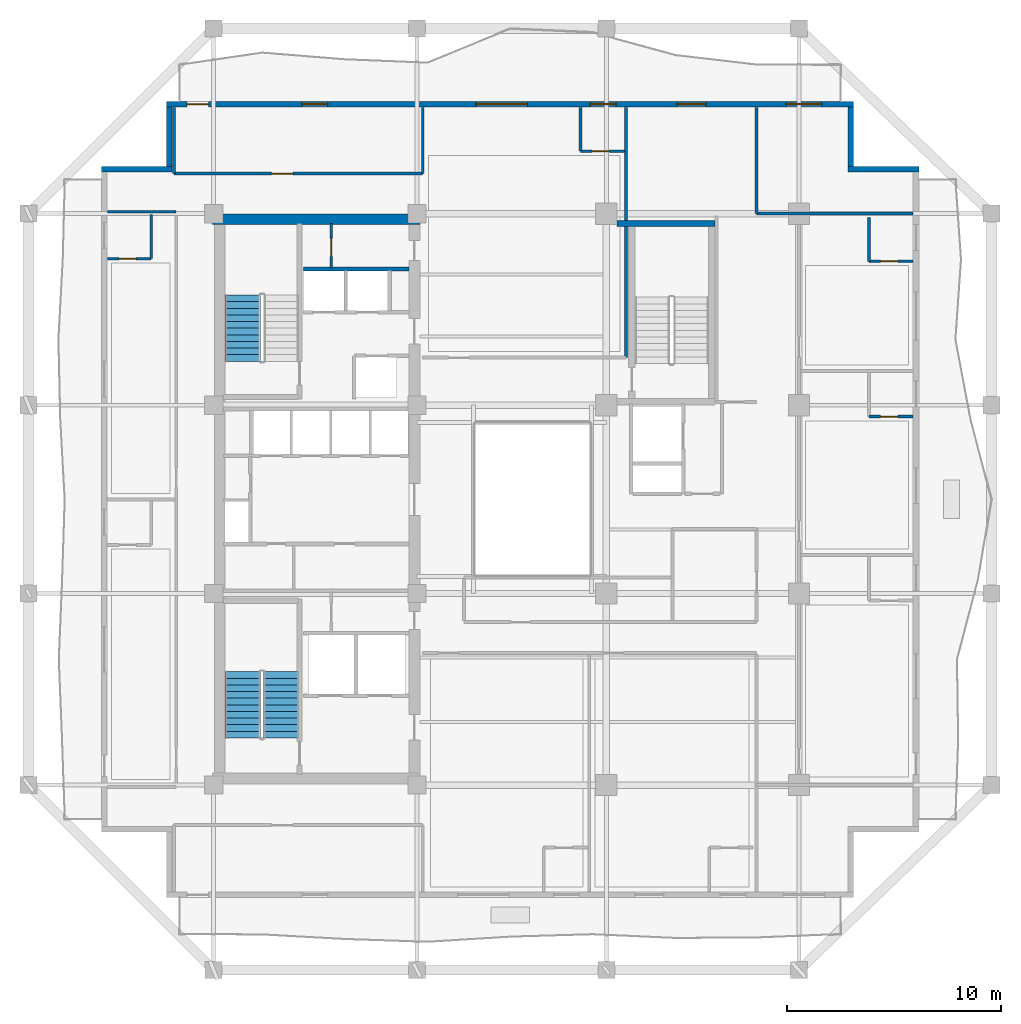
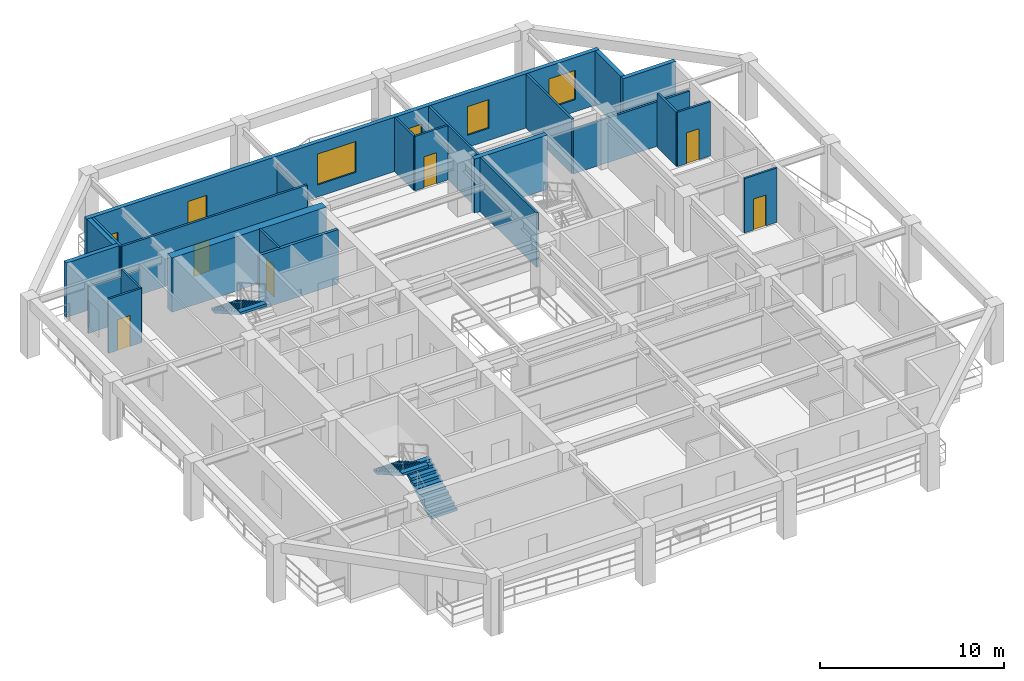
# One storey, part 6 of 11: 23 walls, 7 doors, 5 windows, 3 stair flights, 12 openings, 2 elements without a shape of their own.
"""IFC4 building model written with IfcOpenShell, lengths in metres."""

from ifc_helpers import new_model, si_unit, direction, frame, frame_2d, origin, place, context, subcontext, project, spatial, polyline, rectangle, outline, extrude, material, layer, layer_set, type_object, element, fill, aggregate, save


model = new_model("IFC4")

# Units and contexts
model_context = context("Model", 3, precision=1e-05, world=origin(), true_north=direction((0.0, 1.0)))
body_context = subcontext(model_context, "Body", "Model", "MODEL_VIEW")
ifc_project = project(units=[si_unit("LENGTHUNIT", "METRE"), si_unit("AREAUNIT", "SQUARE_METRE"), si_unit("VOLUMEUNIT", "CUBIC_METRE"), si_unit("PLANEANGLEUNIT", "RADIAN"), si_unit("MASSUNIT", "GRAM", prefix="KILO")], contexts=[model_context])

# Site, building, storey
site_placement = place(None, origin())
site = spatial("IfcSite", under=ifc_project, at=site_placement, CompositionType="ELEMENT")
building_placement = place(site_placement, origin())
building = spatial("IfcBuilding", under=site, at=building_placement, Name="Kundavana Baori Tower", CompositionType="ELEMENT")
storey_placement = place(building_placement, frame((0.0, 0.0, 123.25)))
storey = spatial("IfcBuildingStorey", under=building, at=storey_placement, Name="L29", CompositionType="ELEMENT", Elevation=123.25)

# Walls
ifc_material_1 = material(Name="Concrete C50/60", Category="concrete")
ifc_layer_1 = layer(ifc_material_1, 0.5, Name="WL-CORE-500")
ifc_layer_set_1 = layer_set([ifc_layer_1], Name="Concrete C50/60")
wall_type_1 = type_object("IfcWallType", Name="WL-CORE-500", PredefinedType="SHEAR", material=ifc_layer_set_1)
wall_1_placement = place(storey_placement, frame((15.39990234375, 41.68994140625, 0.0), z_axis=(0.0, 0.0, 1.0), x_axis=(1.0, 0.0, 0.0)))
element("IfcWall", 1, at=wall_1_placement, inside=storey, type_object=wall_type_1, Name="L29 Offset Core North Shear Wall", PredefinedType="SHEAR", context=body_context, shape_type="SweptSolid", body=[
    extrude(rectangle(XDim=9.68017578125, YDim=0.5, at=frame_2d((4.840087890625, 0.0))), origin(), (0.0, 0.0, 1.0), 3.60009765625),
])
ifc_material_2 = material(Name="Kiln-Fired Terracotta Brick-Slip Masonry on Concrete C40/50", Category="masonry")
ifc_layer_2 = layer(ifc_material_2, 0.260009765625, Name="WL-EXT-BRK-260")
ifc_layer_set_2 = layer_set([ifc_layer_2], Name="Kiln-Fired Terracotta Brick-Slip Masonry on Concrete C40/50")
wall_type_2 = type_object("IfcWallType", Name="WL-EXT-BRK-260", PredefinedType="SOLIDWALL", material=ifc_layer_set_2)
wall_2_placement = place(storey_placement, frame((48.39990234375, 44.02001953125, 0.0), z_axis=(0.0, 0.0, 1.0), x_axis=(-1.0, 0.0, 0.0)))
element("IfcWall", 2, at=wall_2_placement, inside=storey, type_object=wall_type_2, Name="L29 Exterior Insulated Facade Wall 05", PredefinedType="SOLIDWALL", context=body_context, shape_type="SweptSolid", body=[
    extrude(rectangle(XDim=3.309814453125, YDim=0.260009765625, at=frame_2d((1.65478515625, 0.0))), origin(), (0.0, 0.0, 1.0), 3.60009765625),
])
wall_3_placement = place(storey_placement, frame((45.219970703125, 44.14990234375, 0.0), z_axis=(0.0, 0.0, 1.0), x_axis=(0.0, 1.0, 0.0)))
element("IfcWall", 3, at=wall_3_placement, inside=storey, type_object=wall_type_2, Name="L29 Exterior Insulated Facade Wall 06", PredefinedType="SOLIDWALL", context=body_context, shape_type="SweptSolid", body=[
    extrude(rectangle(XDim=2.7900390625, YDim=0.260009765625, at=frame_2d((1.39501953125, 0.0))), origin(), (0.0, 0.0, 1.0), 3.60009765625),
])

# Wall, openings, door, windows
wall_4_placement = place(storey_placement, frame((45.35009765625, 47.070068359375, 0.0), z_axis=(0.0, 0.0, 1.0), x_axis=(-1.0, 0.0, 0.0)))
wall_4 = element("IfcWall", 4, at=wall_4_placement, inside=storey, type_object=wall_type_2, Name="L29 Exterior Insulated Facade Wall 07", PredefinedType="SOLIDWALL", context=body_context, shape_type="SweptSolid", body=[
    extrude(rectangle(XDim=32.10009765625, YDim=0.260009765625, at=frame_2d((16.050048828125, 0.0))), origin(), (0.0, 0.0, 1.0), 3.60009765625),
])
opening_1_placement = place(wall_4_placement, frame((30.14990234375, 0.0, 0.0)))
opening_1 = element("IfcOpeningElement", 5, at=opening_1_placement, cuts=wall_4, Name="Opening BD-1", PredefinedType="OPENING", context=body_context, shape_type="SweptSolid", body=[
    extrude(rectangle(XDim=1.0, YDim=2.050048828125, at=frame_2d((0.5, 1.02490234375))), frame((0.0, 0.14013671875, 0.0), z_axis=(0.0, -1.0, 0.0), x_axis=(1.0, 0.0, 0.0)), (0.0, 0.0, 1.0), 0.280029296875),
])
opening_2_placement = place(wall_4_placement, frame((24.570068359375, 0.0, 0.800048828125)))
opening_2 = element("IfcOpeningElement", 6, at=opening_2_placement, cuts=wall_4, Name="Opening W-03", PredefinedType="OPENING", context=body_context, shape_type="SweptSolid", body=[
    extrude(rectangle(XDim=1.199951171875, YDim=1.75, at=frame_2d((0.60009765625, 0.875))), frame((0.0, 0.14013671875, 0.0), z_axis=(0.0, -1.0, 0.0), x_axis=(1.0, 0.0, 0.0)), (0.0, 0.0, 1.0), 0.280029296875),
])
opening_3_placement = place(wall_4_placement, frame((15.2451171875, 0.0, 0.800048828125)))
opening_3 = element("IfcOpeningElement", 7, at=opening_3_placement, cuts=wall_4, Name="Opening W-04", PredefinedType="OPENING", context=body_context, shape_type="SweptSolid", body=[
    extrude(rectangle(XDim=2.39990234375, YDim=2.050048828125, at=frame_2d((1.199951171875, 1.02490234375))), frame((0.0, 0.14013671875, 0.0), z_axis=(0.0, -1.0, 0.0), x_axis=(1.0, 0.0, 0.0)), (0.0, 0.0, 1.0), 0.280029296875),
])
opening_4_placement = place(wall_4_placement, frame((11.094970703125, 0.0, 0.800048828125)))
opening_4 = element("IfcOpeningElement", 8, at=opening_4_placement, cuts=wall_4, Name="Opening W-03", PredefinedType="OPENING", context=body_context, shape_type="SweptSolid", body=[
    extrude(rectangle(XDim=1.199951171875, YDim=1.75, at=frame_2d((0.60009765625, 0.875))), frame((0.0, 0.14013671875, 0.0), z_axis=(0.0, -1.0, 0.0), x_axis=(1.0, 0.0, 0.0)), (0.0, 0.0, 1.0), 0.280029296875),
])
opening_5_placement = place(wall_4_placement, frame((6.905029296875, 0.0, 0.800048828125)))
opening_5 = element("IfcOpeningElement", 9, at=opening_5_placement, cuts=wall_4, Name="Opening W-07", PredefinedType="OPENING", context=body_context, shape_type="SweptSolid", body=[
    extrude(rectangle(XDim=1.35009765625, YDim=1.89990234375, at=frame_2d((0.675048828125, 0.949951171875))), frame((0.0, 0.14013671875, 0.0), z_axis=(0.0, -1.0, 0.0), x_axis=(1.0, 0.0, 0.0)), (0.0, 0.0, 1.0), 0.280029296875),
])
opening_6_placement = place(wall_4_placement, frame((1.4951171875, 0.0, 0.800048828125)))
opening_6 = element("IfcOpeningElement", 10, at=opening_6_placement, cuts=wall_4, Name="Opening W-08", PredefinedType="OPENING", context=body_context, shape_type="SweptSolid", body=[
    extrude(rectangle(XDim=1.64990234375, YDim=1.949951171875, at=frame_2d((0.824951171875, 0.97509765625))), frame((0.0, 0.14013671875, 0.0), z_axis=(0.0, -1.0, 0.0), x_axis=(1.0, 0.0, 0.0)), (0.0, 0.0, 1.0), 0.280029296875),
])
ifc_material_3 = material(Name="Architectural Patinated Bronze Metalwork")
door_type_1 = type_object("IfcDoorType", Name="DR-EXT-LOG-1000", OperationType="NOTDEFINED", PredefinedType="DOOR", material=ifc_material_3)
door_1_placement = place(opening_1_placement, frame((1.0, 0.0, 0.0), z_axis=(0.0, 0.0, 1.0), x_axis=(-1.0, 0.0, 0.0)))
door_1 = element("IfcDoor", 11, at=door_1_placement, inside=storey, type_object=door_type_1, Name="L29 Loggia Balcony Access Door N", OperationType="SINGLE_SWING_LEFT", OverallHeight=2.050048828125, OverallWidth=1.0, PredefinedType="DOOR", context=body_context, shape_type="SweptSolid", body=[
    extrude(rectangle(XDim=1.0, YDim=2.050048828125, at=frame_2d((0.5, 1.02490234375))), frame((0.0, 0.02490234375, 0.0), z_axis=(0.0, -1.0, 0.0), x_axis=(1.0, 0.0, 0.0)), (0.0, 0.0, 1.0), 0.050048828125),
])
fill(opening_1, door_1)
ifc_material_4 = material(Name="Double-Glazed Solar-Control Low-E Insulated Glass", Category="glass")
window_type_1 = type_object("IfcWindowType", Name="WIN-LOG-1200x1750", PartitioningType="SINGLE_PANEL", PredefinedType="WINDOW", material=ifc_material_4)
window_1_placement = place(opening_2_placement, origin())
window_1 = element("IfcWindow", 12, at=window_1_placement, inside=storey, type_object=window_type_1, Name="L29 Recessed Loggia Window N-1", OverallHeight=1.75, OverallWidth=1.199951171875, PartitioningType="SINGLE_PANEL", PredefinedType="WINDOW", context=body_context, shape_type="SweptSolid", body=[
    extrude(rectangle(XDim=1.199951171875, YDim=1.75, at=frame_2d((0.60009765625, 0.875))), frame((0.0, 0.030029296875, 0.0), z_axis=(0.0, -1.0, 0.0), x_axis=(1.0, 0.0, 0.0)), (0.0, 0.0, 1.0), 0.06005859375),
])
fill(opening_2, window_1)
window_2_placement = place(opening_4_placement, origin())
window_2 = element("IfcWindow", 13, at=window_2_placement, inside=storey, type_object=window_type_1, Name="L29 Recessed Loggia Window N-3", OverallHeight=1.75, OverallWidth=1.199951171875, PartitioningType="SINGLE_PANEL", PredefinedType="WINDOW", context=body_context, shape_type="SweptSolid", body=[
    extrude(rectangle(XDim=1.199951171875, YDim=1.75, at=frame_2d((0.60009765625, 0.875))), frame((0.0, 0.030029296875, 0.0), z_axis=(0.0, -1.0, 0.0), x_axis=(1.0, 0.0, 0.0)), (0.0, 0.0, 1.0), 0.06005859375),
])
fill(opening_4, window_2)
ifc_material_5 = material(Name="Double-Glazed Solar-Control Low-E Insulated Glass", Category="glass")
window_type_2 = type_object("IfcWindowType", Name="WIN-LOG-1350x1900", PartitioningType="SINGLE_PANEL", PredefinedType="WINDOW", material=ifc_material_5)
window_3_placement = place(opening_5_placement, origin())
window_3 = element("IfcWindow", 14, at=window_3_placement, inside=storey, type_object=window_type_2, Name="L29 Recessed Loggia Window N-4", OverallHeight=1.89990234375, OverallWidth=1.35009765625, PartitioningType="SINGLE_PANEL", PredefinedType="WINDOW", context=body_context, shape_type="SweptSolid", body=[
    extrude(rectangle(XDim=1.35009765625, YDim=1.89990234375, at=frame_2d((0.675048828125, 0.949951171875))), frame((0.0, 0.030029296875, 0.0), z_axis=(0.0, -1.0, 0.0), x_axis=(1.0, 0.0, 0.0)), (0.0, 0.0, 1.0), 0.06005859375),
])
fill(opening_5, window_3)
ifc_material_6 = material(Name="Double-Glazed Solar-Control Low-E Insulated Glass", Category="glass")
window_type_3 = type_object("IfcWindowType", Name="WIN-LOG-1650x1950", PartitioningType="SINGLE_PANEL", PredefinedType="WINDOW", material=ifc_material_6)
window_4_placement = place(opening_6_placement, origin())
window_4 = element("IfcWindow", 15, at=window_4_placement, inside=storey, type_object=window_type_3, Name="L29 Recessed Loggia Window N-5", OverallHeight=1.949951171875, OverallWidth=1.64990234375, PartitioningType="SINGLE_PANEL", PredefinedType="WINDOW", context=body_context, shape_type="SweptSolid", body=[
    extrude(rectangle(XDim=1.64990234375, YDim=1.949951171875, at=frame_2d((0.824951171875, 0.97509765625))), frame((0.0, 0.030029296875, 0.0), z_axis=(0.0, -1.0, 0.0), x_axis=(1.0, 0.0, 0.0)), (0.0, 0.0, 1.0), 0.06005859375),
])
fill(opening_6, window_4)
ifc_material_7 = material(Name="Double-Glazed Solar-Control Low-E Insulated Glass", Category="glass")
window_type_4 = type_object("IfcWindowType", Name="WIN-LOG-2400x2050", PartitioningType="SINGLE_PANEL", PredefinedType="WINDOW", material=ifc_material_7)
window_5_placement = place(opening_3_placement, origin())
window_5 = element("IfcWindow", 16, at=window_5_placement, inside=storey, type_object=window_type_4, Name="L29 Recessed Loggia Window N-2", OverallHeight=2.050048828125, OverallWidth=2.39990234375, PartitioningType="SINGLE_PANEL", PredefinedType="WINDOW", context=body_context, shape_type="SweptSolid", body=[
    extrude(rectangle(XDim=2.39990234375, YDim=2.050048828125, at=frame_2d((1.199951171875, 1.02490234375))), frame((0.0, 0.030029296875, 0.0), z_axis=(0.0, -1.0, 0.0), x_axis=(1.0, 0.0, 0.0)), (0.0, 0.0, 1.0), 0.06005859375),
])
fill(opening_3, window_5)

# Walls
wall_5_placement = place(storey_placement, frame((13.3798828125, 46.93994140625, 0.0), z_axis=(0.0, 0.0, 1.0), x_axis=(0.0, -1.0, 0.0)))
element("IfcWall", 17, at=wall_5_placement, inside=storey, type_object=wall_type_2, Name="L29 Exterior Insulated Facade Wall 08", PredefinedType="SOLIDWALL", context=body_context, shape_type="SweptSolid", body=[
    extrude(rectangle(XDim=2.7900390625, YDim=0.260009765625, at=frame_2d((1.39501953125, 0.0))), origin(), (0.0, 0.0, 1.0), 3.60009765625),
])
wall_6_placement = place(storey_placement, frame((13.510009765625, 44.02001953125, 0.0), z_axis=(0.0, 0.0, 1.0), x_axis=(-1.0, 0.0, 0.0)))
element("IfcWall", 18, at=wall_6_placement, inside=storey, type_object=wall_type_2, Name="L29 Exterior Insulated Facade Wall 09", PredefinedType="SOLIDWALL", context=body_context, shape_type="SweptSolid", body=[
    extrude(rectangle(XDim=3.31005859375, YDim=0.260009765625, at=frame_2d((1.655029296875, 0.0))), origin(), (0.0, 0.0, 1.0), 3.60009765625),
])

# Wall, opening, door
ifc_material_8 = material(Name="Acoustic Gypsum Plasterboard on Galvanised Steel Studs", Category="steel")
ifc_layer_3 = layer(ifc_material_8, 0.1201171875, Name="WL-PART-120")
ifc_layer_set_3 = layer_set([ifc_layer_3], Name="Acoustic Gypsum Plasterboard on Galvanised Steel Studs")
wall_type_3 = type_object("IfcWallType", Name="WL-PART-120", PredefinedType="PARTITIONING", material=ifc_layer_set_3)
wall_7_placement = place(storey_placement, frame((20.949951171875, 39.39990234375, 0.0), z_axis=(0.0, 0.0, 1.0), x_axis=(0.0, 1.0, 0.0)))
wall_7 = element("IfcWall", 19, at=wall_7_placement, inside=storey, type_object=wall_type_3, Name="WL-L29-CSRV-D2", PredefinedType="PARTITIONING", context=body_context, shape_type="SweptSolid", body=[
    extrude(rectangle(XDim=2.080078125, YDim=0.1201171875, at=frame_2d((1.0400390625, 0.0))), origin(), (0.0, 0.0, 1.0), 3.60009765625),
])
opening_7_placement = place(wall_7_placement, frame((0.550048828125, 0.0, 0.0)))
opening_7 = element("IfcOpeningElement", 20, at=opening_7_placement, cuts=wall_7, Name="Opening FD-085", PredefinedType="OPENING", context=body_context, shape_type="SweptSolid", body=[
    extrude(rectangle(XDim=0.85009765625, YDim=2.06005859375, at=frame_2d((0.425048828125, 1.030029296875))), frame((0.0, 0.070068359375, 0.0), z_axis=(0.0, -1.0, 0.0), x_axis=(1.0, 0.0, 0.0)), (0.0, 0.0, 1.0), 0.14013671875),
])
ifc_material_9 = material(Name="Galvanised Steel Fire-Rated Door Leaf", Category="steel")
door_type_2 = type_object("IfcDoorType", Name="DR-FD60-850", OperationType="NOTDEFINED", PredefinedType="DOOR", material=ifc_material_9)
door_2_placement = place(opening_7_placement, origin())
door_2 = element("IfcDoor", 21, at=door_2_placement, inside=storey, type_object=door_type_2, Name="DR-L29-CSRV1", OperationType="SINGLE_SWING_RIGHT", OverallHeight=2.06005859375, OverallWidth=0.85009765625, PredefinedType="DOOR", context=body_context, shape_type="SweptSolid", body=[
    extrude(rectangle(XDim=0.85009765625, YDim=2.06005859375, at=frame_2d((0.425048828125, 1.030029296875))), frame((0.0, 0.02490234375, 0.0), z_axis=(0.0, -1.0, 0.0), x_axis=(1.0, 0.0, 0.0)), (0.0, 0.0, 1.0), 0.050048828125),
])
fill(opening_7, door_2)

# Walls
ifc_material_10 = material(Name="Acoustic Gypsum Plasterboard on Galvanised Steel Studs", Category="steel")
ifc_layer_4 = layer(ifc_material_10, 0.135009765625, Name="WL-PART-135")
ifc_layer_set_4 = layer_set([ifc_layer_4], Name="Acoustic Gypsum Plasterboard on Galvanised Steel Studs")
wall_type_4 = type_object("IfcWallType", Name="WL-PART-135", PredefinedType="PARTITIONING", material=ifc_layer_set_4)
wall_8_placement = place(storey_placement, frame((40.820068359375, 41.949951171875, 0.0), z_axis=(0.0, 0.0, 1.0), x_axis=(1.0, 0.0, 0.0)))
element("IfcWall", 22, at=wall_8_placement, inside=storey, type_object=wall_type_4, Name="WL-L29-HEN", PredefinedType="PARTITIONING", context=body_context, shape_type="SweptSolid", body=[
    extrude(rectangle(XDim=7.300048828125, YDim=0.135009765625, at=frame_2d((3.64990234375, 0.0))), origin(), (0.0, 0.0, 1.0), 2.949951171875),
])
wall_9_placement = place(storey_placement, frame((10.47998046875, 42.0400390625, 0.0), z_axis=(0.0, 0.0, 1.0), x_axis=(1.0, 0.0, 0.0)))
element("IfcWall", 23, at=wall_9_placement, inside=storey, type_object=wall_type_4, Name="WL-L29-HWN", PredefinedType="PARTITIONING", context=body_context, shape_type="SweptSolid", body=[
    extrude(rectangle(XDim=3.219970703125, YDim=0.135009765625, at=frame_2d((1.60986328125, 0.0))), origin(), (0.0, 0.0, 1.0), 3.10009765625),
])

# Wall, opening, door
wall_10_placement = place(storey_placement, frame((13.590087890625, 43.820068359375, 0.0), z_axis=(0.0, 0.0, 1.0), x_axis=(1.0, 0.0, 0.0)))
wall_10 = element("IfcWall", 24, at=wall_10_placement, inside=storey, type_object=wall_type_4, Name="WL-L29-HNC", PredefinedType="PARTITIONING", context=body_context, shape_type="SweptSolid", body=[
    extrude(rectangle(XDim=11.6298828125, YDim=0.135009765625, at=frame_2d((5.81494140625, 0.0))), origin(), (0.0, 0.0, 1.0), 3.60009765625),
])
opening_8_placement = place(wall_10_placement, frame((4.56005859375, 0.0, 0.0)))
opening_8 = element("IfcOpeningElement", 25, at=opening_8_placement, cuts=wall_10, Name="Opening ID-100", PredefinedType="OPENING", context=body_context, shape_type="SweptSolid", body=[
    extrude(rectangle(XDim=1.0, YDim=2.080078125, at=frame_2d((0.5, 1.0400390625))), frame((0.0, 0.07763671875, 0.0), z_axis=(0.0, -1.0, 0.0), x_axis=(1.0, 0.0, 0.0)), (0.0, 0.0, 1.0), 0.155029296875),
])
ifc_material_11 = material(Name="Engineered Teak Solid-Core Timber Veneer", Category="wood")
door_type_3 = type_object("IfcDoorType", Name="DR-INT-1000", OperationType="NOTDEFINED", PredefinedType="DOOR", material=ifc_material_11)
door_3_placement = place(opening_8_placement, origin())
door_3 = element("IfcDoor", 26, at=door_3_placement, inside=storey, type_object=door_type_3, Name="DR-L29-HMNW", OperationType="SINGLE_SWING_RIGHT", OverallHeight=2.080078125, OverallWidth=1.0, PredefinedType="DOOR", context=body_context, shape_type="SweptSolid", body=[
    extrude(rectangle(XDim=1.0, YDim=2.080078125, at=frame_2d((0.5, 1.0400390625))), frame((0.0, 0.02490234375, 0.0), z_axis=(0.0, -1.0, 0.0), x_axis=(1.0, 0.0, 0.0)), (0.0, 0.0, 1.0), 0.050048828125),
])
fill(opening_8, door_3)

# Walls
wall_11_placement = place(storey_placement, frame((13.590087890625, 43.820068359375, 0.0), z_axis=(0.0, 0.0, 1.0), x_axis=(0.0, 1.0, 0.0)))
element("IfcWall", 27, at=wall_11_placement, inside=storey, type_object=wall_type_4, Name="WL-L29-HNCW", PredefinedType="PARTITIONING", context=body_context, shape_type="SweptSolid", body=[
    extrude(rectangle(XDim=3.099853515625, YDim=0.135009765625, at=frame_2d((1.5498046875, 0.0))), origin(), (0.0, 0.0, 1.0), 3.60009765625),
])
wall_12_placement = place(storey_placement, frame((25.219970703125, 43.820068359375, 0.0), z_axis=(0.0, 0.0, 1.0), x_axis=(0.0, 1.0, 0.0)))
element("IfcWall", 28, at=wall_12_placement, inside=storey, type_object=wall_type_4, Name="WL-L29-HNCE", PredefinedType="PARTITIONING", context=body_context, shape_type="SweptSolid", body=[
    extrude(rectangle(XDim=3.099853515625, YDim=0.135009765625, at=frame_2d((1.5498046875, 0.0))), origin(), (0.0, 0.0, 1.0), 3.10009765625),
])
wall_13_placement = place(storey_placement, frame((34.719970703125, 35.219970703125, 0.0), z_axis=(0.0, 0.0, 1.0), x_axis=(0.0, 1.0, 0.0)))
element("IfcWall", 29, at=wall_13_placement, inside=storey, type_object=wall_type_4, Name="WL-L29-HNEND", PredefinedType="PARTITIONING", context=body_context, shape_type="SweptSolid", body=[
    extrude(rectangle(XDim=11.699951171875, YDim=0.135009765625, at=frame_2d((5.85009765625, 0.0))), origin(), (0.0, 0.0, 1.0), 3.60009765625),
])
wall_14_placement = place(storey_placement, frame((40.820068359375, 41.949951171875, 0.0), z_axis=(0.0, 0.0, 1.0), x_axis=(0.0, 1.0, 0.0)))
element("IfcWall", 30, at=wall_14_placement, inside=storey, type_object=wall_type_4, Name="WL-L29-HNEE", PredefinedType="PARTITIONING", context=body_context, shape_type="SweptSolid", body=[
    extrude(rectangle(XDim=4.969970703125, YDim=0.135009765625, at=frame_2d((2.48486328125, 0.0))), origin(), (0.0, 0.0, 1.0), 3.60009765625),
])
ifc_material_12 = material(Name="Autoclaved Aerated Concrete Blockwork Masonry", Category="masonry")
ifc_layer_5 = layer(ifc_material_12, 0.179931640625, Name="WL-SHAFT-180")
ifc_layer_set_5 = layer_set([ifc_layer_5], Name="Autoclaved Aerated Concrete Blockwork Masonry")
wall_type_5 = type_object("IfcWallType", Name="WL-SHAFT-180", PredefinedType="SOLIDWALL", material=ifc_layer_set_5)
wall_15_placement = place(storey_placement, frame((19.639892578125, 39.360107421875, 0.0), z_axis=(0.0, 0.0, 1.0), x_axis=(1.0, 0.0, 0.0)))
element("IfcWall", 31, at=wall_15_placement, inside=storey, type_object=wall_type_5, Name="WL-L29-HRLOB-TOP", PredefinedType="SOLIDWALL", context=body_context, shape_type="SweptSolid", body=[
    extrude(rectangle(XDim=4.940185546875, YDim=0.179931640625, at=frame_2d((2.47021484375, 0.0))), origin(), (0.0, 0.0, 1.0), 3.60009765625),
])
ifc_material_13 = material(Name="Concrete C50/60", Category="concrete")
ifc_layer_6 = layer(ifc_material_13, 0.300048828125, Name="WL-ST3-300")
ifc_layer_set_6 = layer_set([ifc_layer_6], Name="Concrete C50/60")
wall_type_6 = type_object("IfcWallType", Name="WL-ST3-300", PredefinedType="SHEAR", material=ifc_layer_set_6)
wall_16_placement = place(storey_placement, frame((34.300048828125, 41.489990234375, 0.0), z_axis=(0.0, 0.0, 1.0), x_axis=(1.0, 0.0, 0.0)))
element("IfcWall", 32, at=wall_16_placement, inside=storey, type_object=wall_type_6, Name="L29 Stair ST3 North Shear Wall", PredefinedType="SHEAR", context=body_context, shape_type="SweptSolid", body=[
    extrude(rectangle(XDim=4.570068359375, YDim=0.300048828125, at=frame_2d((2.28515625, 0.0))), origin(), (0.0, 0.0, 1.0), 3.60009765625),
])
ifc_material_14 = material(Name="Autoclaved Aerated Concrete Blockwork Masonry", Category="masonry")
ifc_layer_7 = layer(ifc_material_14, 0.125, Name="WL-WET-120")
ifc_layer_set_7 = layer_set([ifc_layer_7], Name="Autoclaved Aerated Concrete Blockwork Masonry")
wall_type_7 = type_object("IfcWallType", Name="WL-WET-120", PredefinedType="PLUMBINGWALL", material=ifc_layer_set_7)
wall_17_placement = place(storey_placement, frame((12.530029296875, 39.85009765625, 0.0), z_axis=(0.0, 0.0, 1.0), x_axis=(0.0, 1.0, 0.0)))
element("IfcWall", 33, at=wall_17_placement, inside=storey, type_object=wall_type_7, Name="WL-L29-HK-W2-BE", PredefinedType="PLUMBINGWALL", context=body_context, shape_type="SweptSolid", body=[
    extrude(rectangle(XDim=2.0498046875, YDim=0.125, at=frame_2d((1.02490234375, 0.0))), origin(), (0.0, 0.0, 1.0), 3.60009765625),
])

# Wall, opening, door
wall_18_placement = place(storey_placement, frame((10.47998046875, 39.85009765625, 0.0), z_axis=(0.0, 0.0, 1.0), x_axis=(1.0, 0.0, 0.0)))
wall_18 = element("IfcWall", 34, at=wall_18_placement, inside=storey, type_object=wall_type_7, Name="WL-L29-HK-W2-BS", PredefinedType="PLUMBINGWALL", context=body_context, shape_type="SweptSolid", body=[
    extrude(rectangle(XDim=2.050048828125, YDim=0.125, at=frame_2d((1.02490234375, 0.0))), origin(), (0.0, 0.0, 1.0), 3.60009765625),
])
opening_9_placement = place(wall_18_placement, frame((0.550048828125, 0.0, 0.0)))
opening_9 = element("IfcOpeningElement", 35, at=opening_9_placement, cuts=wall_18, Name="Opening WD-080", PredefinedType="OPENING", context=body_context, shape_type="SweptSolid", body=[
    extrude(rectangle(XDim=0.800048828125, YDim=2.050048828125, at=frame_2d((0.39990234375, 1.02490234375))), frame((0.0, 0.072509765625, 0.0), z_axis=(0.0, -1.0, 0.0), x_axis=(1.0, 0.0, 0.0)), (0.0, 0.0, 1.0), 0.14501953125),
])
ifc_material_15 = material(Name="Engineered Teak Solid-Core Timber Veneer", Category="wood")
door_type_4 = type_object("IfcDoorType", Name="DR-WET-800", OperationType="NOTDEFINED", PredefinedType="DOOR", material=ifc_material_15)
door_4_placement = place(opening_9_placement, frame((0.800048828125, 0.0, 0.0), z_axis=(0.0, 0.0, 1.0), x_axis=(-1.0, 0.0, 0.0)))
door_4 = element("IfcDoor", 36, at=door_4_placement, inside=storey, type_object=door_type_4, Name="DR-L29-HK-W2-ENS", OperationType="SINGLE_SWING_LEFT", OverallHeight=2.050048828125, OverallWidth=0.800048828125, PredefinedType="DOOR", context=body_context, shape_type="SweptSolid", body=[
    extrude(rectangle(XDim=0.800048828125, YDim=2.050048828125, at=frame_2d((0.39990234375, 1.02490234375))), frame((0.0, 0.02490234375, 0.0), z_axis=(0.0, -1.0, 0.0), x_axis=(1.0, 0.0, 0.0)), (0.0, 0.0, 1.0), 0.050048828125),
])
fill(opening_9, door_4)

wall_19_placement = place(storey_placement, frame((46.070068359375, 32.469970703125, 0.0), z_axis=(0.0, 0.0, 1.0), x_axis=(1.0, 0.0, 0.0)))
wall_19 = element("IfcWall", 37, at=wall_19_placement, inside=storey, type_object=wall_type_7, Name="WL-L29-HK-E2-BS", PredefinedType="PLUMBINGWALL", context=body_context, shape_type="SweptSolid", body=[
    extrude(rectangle(XDim=2.050048828125, YDim=0.125, at=frame_2d((1.02490234375, 0.0))), origin(), (0.0, 0.0, 1.0), 3.60009765625),
])
opening_10_placement = place(wall_19_placement, frame((0.550048828125, 0.0, 0.0)))
opening_10 = element("IfcOpeningElement", 38, at=opening_10_placement, cuts=wall_19, Name="Opening WD-080", PredefinedType="OPENING", context=body_context, shape_type="SweptSolid", body=[
    extrude(rectangle(XDim=0.800048828125, YDim=2.050048828125, at=frame_2d((0.39990234375, 1.02490234375))), frame((0.0, 0.072509765625, 0.0), z_axis=(0.0, -1.0, 0.0), x_axis=(1.0, 0.0, 0.0)), (0.0, 0.0, 1.0), 0.14501953125),
])
door_5_placement = place(opening_10_placement, frame((0.800048828125, 0.0, 0.0), z_axis=(0.0, 0.0, 1.0), x_axis=(-1.0, 0.0, 0.0)))
door_5 = element("IfcDoor", 39, at=door_5_placement, inside=storey, type_object=door_type_4, Name="DR-L29-HK-E2-ENS", OperationType="SINGLE_SWING_LEFT", OverallHeight=2.050048828125, OverallWidth=0.800048828125, PredefinedType="DOOR", context=body_context, shape_type="SweptSolid", body=[
    extrude(rectangle(XDim=0.800048828125, YDim=2.050048828125, at=frame_2d((0.39990234375, 1.02490234375))), frame((0.0, 0.02490234375, 0.0), z_axis=(0.0, -1.0, 0.0), x_axis=(1.0, 0.0, 0.0)), (0.0, 0.0, 1.0), 0.050048828125),
])
fill(opening_10, door_5)

# Wall
wall_20_placement = place(storey_placement, frame((46.070068359375, 39.719970703125, 0.0), z_axis=(0.0, 0.0, 1.0), x_axis=(0.0, 1.0, 0.0)))
element("IfcWall", 40, at=wall_20_placement, inside=storey, type_object=wall_type_7, Name="WL-L29-HK-E3-BW", PredefinedType="PLUMBINGWALL", context=body_context, shape_type="SweptSolid", body=[
    extrude(rectangle(XDim=2.050048828125, YDim=0.125, at=frame_2d((1.02490234375, 0.0))), origin(), (0.0, 0.0, 1.0), 3.60009765625),
])

# Wall, opening, door
wall_21_placement = place(storey_placement, frame((46.070068359375, 39.719970703125, 0.0), z_axis=(0.0, 0.0, 1.0), x_axis=(1.0, 0.0, 0.0)))
wall_21 = element("IfcWall", 41, at=wall_21_placement, inside=storey, type_object=wall_type_7, Name="WL-L29-HK-E3-BS", PredefinedType="PLUMBINGWALL", context=body_context, shape_type="SweptSolid", body=[
    extrude(rectangle(XDim=2.050048828125, YDim=0.125, at=frame_2d((1.02490234375, 0.0))), origin(), (0.0, 0.0, 1.0), 3.60009765625),
])
opening_11_placement = place(wall_21_placement, frame((0.550048828125, 0.0, 0.0)))
opening_11 = element("IfcOpeningElement", 42, at=opening_11_placement, cuts=wall_21, Name="Opening WD-080", PredefinedType="OPENING", context=body_context, shape_type="SweptSolid", body=[
    extrude(rectangle(XDim=0.800048828125, YDim=2.050048828125, at=frame_2d((0.39990234375, 1.02490234375))), frame((0.0, 0.072509765625, 0.0), z_axis=(0.0, -1.0, 0.0), x_axis=(1.0, 0.0, 0.0)), (0.0, 0.0, 1.0), 0.14501953125),
])
door_6_placement = place(opening_11_placement, frame((0.800048828125, 0.0, 0.0), z_axis=(0.0, 0.0, 1.0), x_axis=(-1.0, 0.0, 0.0)))
door_6 = element("IfcDoor", 43, at=door_6_placement, inside=storey, type_object=door_type_4, Name="DR-L29-HK-E3-ENS", OperationType="SINGLE_SWING_LEFT", OverallHeight=2.050048828125, OverallWidth=0.800048828125, PredefinedType="DOOR", context=body_context, shape_type="SweptSolid", body=[
    extrude(rectangle(XDim=0.800048828125, YDim=2.050048828125, at=frame_2d((0.39990234375, 1.02490234375))), frame((0.0, 0.02490234375, 0.0), z_axis=(0.0, -1.0, 0.0), x_axis=(1.0, 0.0, 0.0)), (0.0, 0.0, 1.0), 0.050048828125),
])
fill(opening_11, door_6)

# Wall
wall_22_placement = place(storey_placement, frame((32.590087890625, 44.8701171875, 0.0), z_axis=(0.0, 0.0, 1.0), x_axis=(0.0, 1.0, 0.0)))
element("IfcWall", 44, at=wall_22_placement, inside=storey, type_object=wall_type_7, Name="WL-L29-HK-N1-BW", PredefinedType="PLUMBINGWALL", context=body_context, shape_type="SweptSolid", body=[
    extrude(rectangle(XDim=2.0498046875, YDim=0.125, at=frame_2d((1.02490234375, 0.0))), origin(), (0.0, 0.0, 1.0), 3.60009765625),
])

# Wall, opening, door
wall_23_placement = place(storey_placement, frame((32.590087890625, 44.8701171875, 0.0), z_axis=(0.0, 0.0, 1.0), x_axis=(1.0, 0.0, 0.0)))
wall_23 = element("IfcWall", 45, at=wall_23_placement, inside=storey, type_object=wall_type_7, Name="WL-L29-HK-N1-BS", PredefinedType="PLUMBINGWALL", context=body_context, shape_type="SweptSolid", body=[
    extrude(rectangle(XDim=2.0498046875, YDim=0.125, at=frame_2d((1.02490234375, 0.0))), origin(), (0.0, 0.0, 1.0), 3.60009765625),
])
opening_12_placement = place(wall_23_placement, frame((0.550048828125, 0.0, 0.0)))
opening_12 = element("IfcOpeningElement", 46, at=opening_12_placement, cuts=wall_23, Name="Opening WD-080", PredefinedType="OPENING", context=body_context, shape_type="SweptSolid", body=[
    extrude(rectangle(XDim=0.800048828125, YDim=2.050048828125, at=frame_2d((0.39990234375, 1.02490234375))), frame((0.0, 0.072509765625, 0.0), z_axis=(0.0, -1.0, 0.0), x_axis=(1.0, 0.0, 0.0)), (0.0, 0.0, 1.0), 0.14501953125),
])
door_7_placement = place(opening_12_placement, frame((0.800048828125, 0.0, 0.0), z_axis=(0.0, 0.0, 1.0), x_axis=(-1.0, 0.0, 0.0)))
door_7 = element("IfcDoor", 47, at=door_7_placement, inside=storey, type_object=door_type_4, Name="DR-L29-HK-N1-ENS", OperationType="SINGLE_SWING_LEFT", OverallHeight=2.050048828125, OverallWidth=0.800048828125, PredefinedType="DOOR", context=body_context, shape_type="SweptSolid", body=[
    extrude(rectangle(XDim=0.800048828125, YDim=2.050048828125, at=frame_2d((0.39990234375, 1.02490234375))), frame((0.0, 0.02490234375, 0.0), z_axis=(0.0, -1.0, 0.0), x_axis=(1.0, 0.0, 0.0)), (0.0, 0.0, 1.0), 0.050048828125),
])
fill(opening_12, door_7)

# Stair, stair flights
ifc_material_16 = material(Name="Concrete C40/50", Category="concrete")
stair_type = type_object("IfcStairType", Name="STR-DOG-1650", PredefinedType="HALF_TURN_STAIR", material=ifc_material_16)
stair_1_placement = place(storey_placement, origin())
stair_1 = element("IfcStair", 48, at=stair_1_placement, inside=storey, type_object=stair_type, Name="L29 Protected Exit Stair ST1", PredefinedType="HALF_TURN_STAIR")
ifc_material_17 = material(Name="Concrete C40/50", Category="concrete")
stair_flight_type = type_object("IfcStairFlightType", Name="SFL-RC-1650", PredefinedType="STRAIGHT", material=ifc_material_17)
stair_flight_1_placement = place(storey_placement, frame((18.614990234375, 17.449951171875, 0.0), z_axis=(0.0, 0.0, 1.0), x_axis=(0.0, 1.0, 0.0)))
stair_flight_1 = element("IfcStairFlight", 49, at=stair_flight_1_placement, type_object=stair_flight_type, Name="ST1 flight 1", NumberOfRisers=11, NumberOfTreads=10, PredefinedType="STRAIGHT", RiserHeight=0.175, TreadLength=0.31, context=body_context, shape_type="SweptSolid", body=[
    extrude(outline(polyline([(0.0, 0.0), (0.0, 0.175048828125), (0.31005859375, 0.175048828125), (0.31005859375, 0.35009765625), (0.6201171875, 0.35009765625), (0.6201171875, 0.52490234375), (0.929931640625, 0.52490234375), (0.929931640625, 0.699951171875), (1.239990234375, 0.699951171875), (1.239990234375, 0.875), (1.550048828125, 0.875), (1.550048828125, 1.050048828125), (1.860107421875, 1.050048828125), (1.860107421875, 1.22509765625), (2.169921875, 1.22509765625), (2.169921875, 1.39990234375), (2.47998046875, 1.39990234375), (2.47998046875, 1.574951171875), (2.7900390625, 1.574951171875), (2.7900390625, 1.75), (3.10009765625, 1.75), (3.10009765625, 1.925048828125), (3.10009765625, 1.577880859375), (0.304931640625, 0.0), (0.0, 0.0)])), frame((0.0, 0.824951171875, 0.0), z_axis=(0.0, -1.0, 0.0), x_axis=(1.0, 0.0, 0.0)), (0.0, 0.0, 1.0), 1.64990234375),
])
stair_flight_2_placement = place(storey_placement, frame((16.804931640625, 20.550048828125, 1.925048828125), z_axis=(0.0, 0.0, 1.0), x_axis=(0.0, -1.0, 0.0)))
stair_flight_2 = element("IfcStairFlight", 50, at=stair_flight_2_placement, type_object=stair_flight_type, Name="ST1 flight 2", NumberOfRisers=11, NumberOfTreads=10, PredefinedType="STRAIGHT", RiserHeight=0.175, TreadLength=0.31, context=body_context, shape_type="SweptSolid", body=[
    extrude(outline(polyline([(0.0, 0.0), (0.0, 0.175048828125), (0.31005859375, 0.175048828125), (0.31005859375, 0.35009765625), (0.6201171875, 0.35009765625), (0.6201171875, 0.52490234375), (0.929931640625, 0.52490234375), (0.929931640625, 0.699951171875), (1.239990234375, 0.699951171875), (1.239990234375, 0.875), (1.550048828125, 0.875), (1.550048828125, 1.050048828125), (1.860107421875, 1.050048828125), (1.860107421875, 1.22509765625), (2.169921875, 1.22509765625), (2.169921875, 1.39990234375), (2.47998046875, 1.39990234375), (2.47998046875, 1.574951171875), (2.7900390625, 1.574951171875), (2.7900390625, 1.75), (3.10009765625, 1.75), (3.10009765625, 1.925048828125), (3.10009765625, 1.577880859375), (0.304931640625, 0.0), (0.0, 0.0)])), frame((0.0, 0.824951171875, 0.0), z_axis=(0.0, -1.0, 0.0), x_axis=(1.0, 0.0, 0.0)), (0.0, 0.0, 1.0), 1.64990234375),
])
aggregate(stair_1, [stair_flight_1, stair_flight_2])

# Stair, stair flight
stair_2_placement = place(storey_placement, origin())
stair_2 = element("IfcStair", 51, at=stair_2_placement, inside=storey, type_object=stair_type, Name="L29 Protected Exit Stair ST2", PredefinedType="HALF_TURN_STAIR")
stair_flight_3_placement = place(storey_placement, frame((16.804931640625, 38.14990234375, 1.925048828125), z_axis=(0.0, 0.0, 1.0), x_axis=(0.0, -1.0, 0.0)))
stair_flight_3 = element("IfcStairFlight", 52, at=stair_flight_3_placement, type_object=stair_flight_type, Name="ST2 flight 2", NumberOfRisers=11, NumberOfTreads=10, PredefinedType="STRAIGHT", RiserHeight=0.175, TreadLength=0.31, context=body_context, shape_type="SweptSolid", body=[
    extrude(outline(polyline([(0.0, 0.0), (0.0, 0.175048828125), (0.31005859375, 0.175048828125), (0.31005859375, 0.35009765625), (0.6201171875, 0.35009765625), (0.6201171875, 0.52490234375), (0.929931640625, 0.52490234375), (0.929931640625, 0.699951171875), (1.239990234375, 0.699951171875), (1.239990234375, 0.875), (1.550048828125, 0.875), (1.550048828125, 1.050048828125), (1.860107421875, 1.050048828125), (1.860107421875, 1.22509765625), (2.169921875, 1.22509765625), (2.169921875, 1.39990234375), (2.47998046875, 1.39990234375), (2.47998046875, 1.574951171875), (2.7900390625, 1.574951171875), (2.7900390625, 1.75), (3.10009765625, 1.75), (3.10009765625, 1.925048828125), (3.10009765625, 1.577880859375), (0.304931640625, 0.0), (0.0, 0.0)])), frame((0.0, 0.824951171875, 0.0), z_axis=(0.0, -1.0, 0.0), x_axis=(1.0, 0.0, 0.0)), (0.0, 0.0, 1.0), 1.64990234375),
])
aggregate(stair_2, [stair_flight_3])

save(model, "model.ifc")
